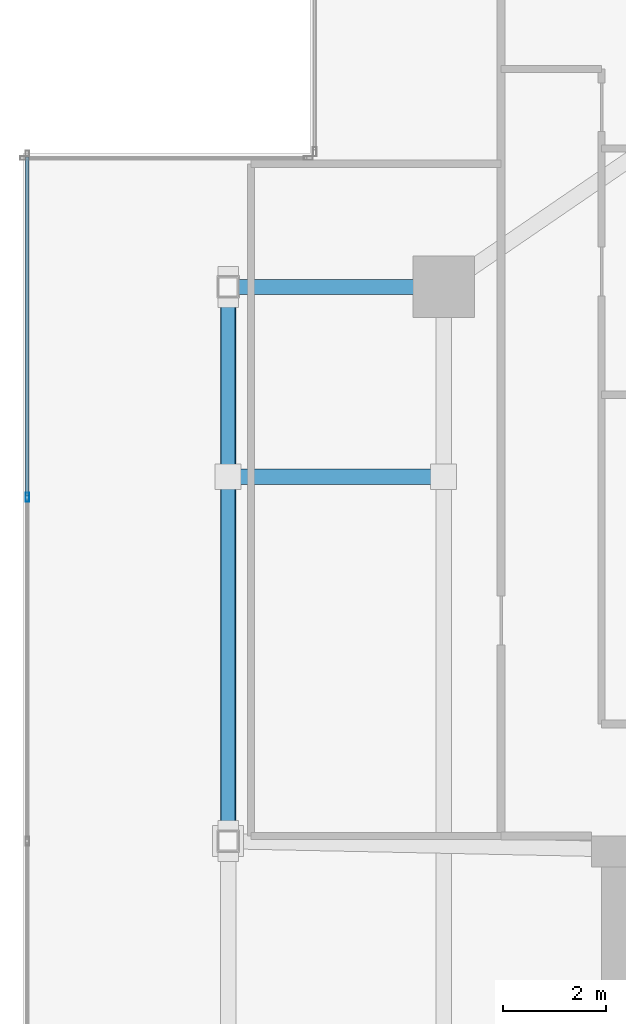
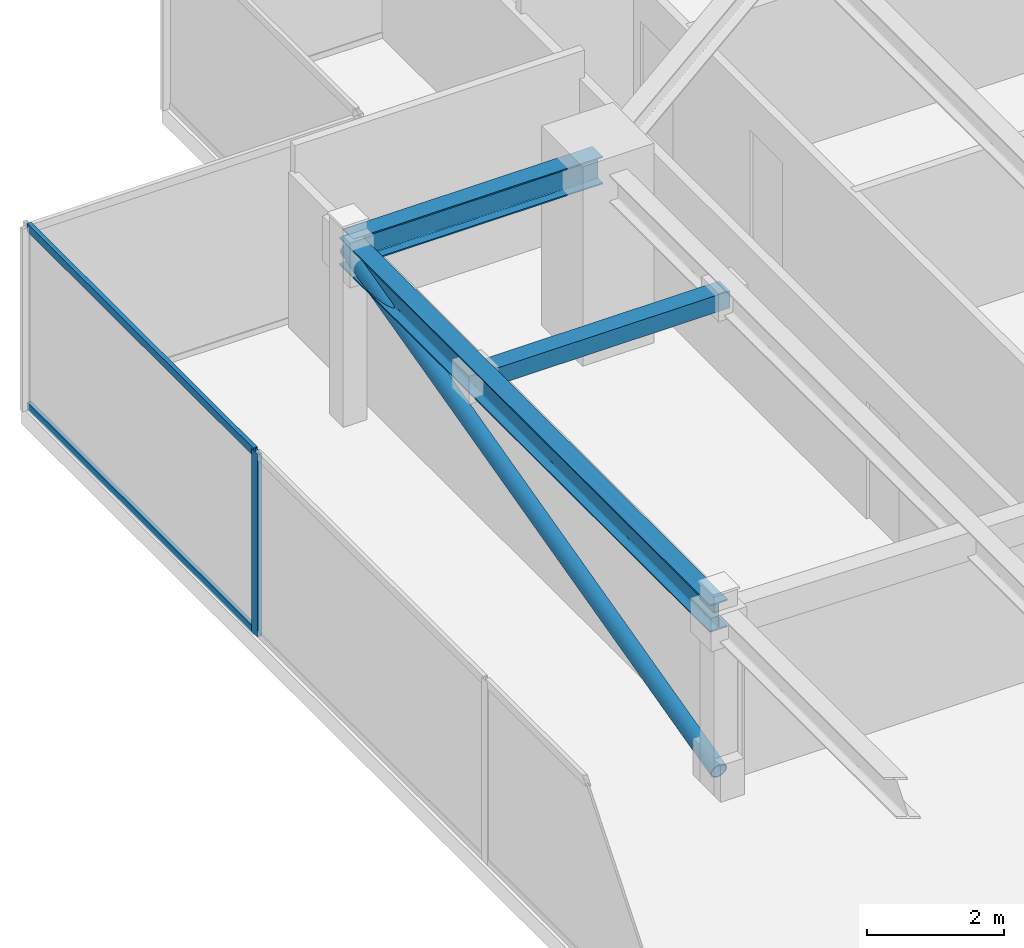
# One storey, part 9 of 16: 5 members, 2 beams, 1 element without a shape of its own.
"""IFC4 building model written with IfcOpenShell, lengths in metres."""

from ifc_helpers import new_model, si_unit, direction, frame, origin, origin_2d, place, context, subcontext, project, spatial, hollow_rectangle, hollow_circle, i_section, extrude, source, transform, mapped, material, material_profile, profile_set, type_object, type_shapes, element, aggregate, save


model = new_model("IFC4")

# Units and contexts
model_context = context("Model", 3, precision=1e-05, world=origin(), true_north=direction((0.0, 1.0)))
body_context = subcontext(model_context, "Body", "Model", "MODEL_VIEW")
ifc_project = project(units=[si_unit("LENGTHUNIT", "METRE"), si_unit("AREAUNIT", "SQUARE_METRE"), si_unit("VOLUMEUNIT", "CUBIC_METRE"), si_unit("PLANEANGLEUNIT", "RADIAN"), si_unit("MASSUNIT", "GRAM", prefix="KILO")], contexts=[model_context])

# Site, building, storey
site_placement = place(None, origin())
site = spatial("IfcSite", under=ifc_project, at=site_placement, CompositionType="ELEMENT")
building_placement = place(site_placement, origin())
building = spatial("IfcBuilding", under=site, at=building_placement, Name="Krantzveldt Concourse Tower", CompositionType="ELEMENT")
storey_placement = place(building_placement, frame((0.0, 0.0, 385.449951171875)))
storey = spatial("IfcBuildingStorey", under=building, at=storey_placement, Name="L95", CompositionType="ELEMENT", Elevation=385.449951171875)

# Beams
ifc_material_1 = material(Name="Steel S355JR", Category="steel")
ifc_material_profile_1 = material_profile(ifc_material_1, i_section(OverallWidth=0.300048828125, OverallDepth=0.489990234375, WebThickness=0.011962890625, FlangeThickness=0.02294921875, FilletRadius=0.027099609375, at=origin_2d()), Name="Steel S355JR", Category="steel")
ifc_profile_set_1 = profile_set([ifc_material_profile_1], Name="Steel S355JR - HEA 500")
beam_type = type_object("IfcBeamType", Name="BM-B-HEA500", PredefinedType="BEAM", material=ifc_profile_set_1)
shared_shape_1 = source(origin(), body_context, "Body", "SweptSolid", [
    extrude(i_section(OverallWidth=0.300048828125, OverallDepth=0.489990234375, WebThickness=0.011962890625, FlangeThickness=0.02294921875, FilletRadius=0.027099609375, at=origin_2d()), origin(), (0.0, 0.0, 1.0), 4.199951171875),
])
beam_1_placement = place(storey_placement, frame((21.0, 37.5, 3.005126953125), z_axis=(1.0, 0.0, 0.0), x_axis=(0.0, 1.0, 0.0)))
element("IfcBeam", 1, at=beam_1_placement, inside=storey, type_object=beam_type, Name="L95 Crown Girder WEST-3", PredefinedType="BEAM", context=body_context, shape_type="MappedRepresentation", body=[
    mapped(shared_shape_1, transform((0.0, 0.0, 0.0), x_axis=(1.0, 0.0, 0.0), y_axis=(0.0, 1.0, 0.0), z_axis=(0.0, 0.0, 1.0), scale=1.0)),
])
shared_shape_2 = source(origin(), body_context, "Body", "SweptSolid", [
    extrude(i_section(OverallWidth=0.300048828125, OverallDepth=0.489990234375, WebThickness=0.011962890625, FlangeThickness=0.02294921875, FilletRadius=0.027099609375, at=origin_2d()), origin(), (0.0, 0.0, 1.0), 10.800048828125),
])
type_shapes(beam_type, [shared_shape_1, shared_shape_2])
beam_2_placement = place(storey_placement, frame((21.0, 26.699951171875, 3.005126953125), z_axis=(0.0, 1.0, 0.0), x_axis=(-1.0, 0.0, 0.0)))
element("IfcBeam", 2, at=beam_2_placement, inside=storey, type_object=beam_type, Name="L95 Crown Girder WEST-2", PredefinedType="BEAM", context=body_context, shape_type="MappedRepresentation", body=[
    mapped(shared_shape_2, transform((0.0, 0.0, 0.0), x_axis=(1.0, 0.0, 0.0), y_axis=(0.0, 1.0, 0.0), z_axis=(0.0, 0.0, 1.0), scale=1.0)),
])

# Members
ifc_material_2 = material(Name="Steel S355J2", Category="steel")
ifc_material_profile_2 = material_profile(ifc_material_2, hollow_rectangle(XDim=0.300048828125, YDim=0.300048828125, WallThickness=0.02001953125, at=origin_2d()), Name="Steel S355J2", Category="steel")
ifc_profile_set_2 = profile_set([ifc_material_profile_2], Name="Steel S355J2 - SHS 300x300x20")
member_type_1 = type_object("IfcMemberType", Name="MB-CP-SHS300", PredefinedType="PURLIN", material=ifc_profile_set_2)
shared_shape_3 = source(origin(), body_context, "Body", "SweptSolid", [
    extrude(hollow_rectangle(XDim=0.300048828125, YDim=0.300048828125, WallThickness=0.02001953125, at=origin_2d()), origin(), (0.0, 0.0, 1.0), 4.199951171875),
])
type_shapes(member_type_1, [shared_shape_3])
member_1_placement = place(storey_placement, frame((21.0, 33.800048828125, 2.949951171875), z_axis=(1.0, 0.0, 0.0), x_axis=(0.0, 1.0, 0.0)))
element("IfcMember", 3, at=member_1_placement, inside=storey, type_object=member_type_1, Name="CPR-L95-WEST-1", PredefinedType="PURLIN", context=body_context, shape_type="MappedRepresentation", body=[
    mapped(shared_shape_3, transform((0.0, 0.0, 0.0), x_axis=(1.0, 0.0, 0.0), y_axis=(0.0, 1.0, 0.0), z_axis=(0.0, 0.0, 1.0), scale=1.0)),
])
ifc_material_profile_3 = material_profile(ifc_material_2, hollow_circle(Radius=0.136474609375, WallThickness=0.01611328125, at=origin_2d()), Name="Steel S355J2", Category="steel")
ifc_profile_set_3 = profile_set([ifc_material_profile_3], Name="Steel S355J2 - CHS 273x16")
member_type_2 = type_object("IfcMemberType", Name="MB-CB-CHS273", PredefinedType="BRACE", material=ifc_profile_set_3)
shared_shape_4 = source(origin(), body_context, "Body", "SweptSolid", [
    extrude(hollow_circle(Radius=0.136474609375, WallThickness=0.01611328125, at=origin_2d()), origin(), (0.0, 0.0, 1.0), 11.144775390625),
])
type_shapes(member_type_2, [shared_shape_4])
member_2_placement = place(storey_placement, frame((21.0, 26.699951171875, 0.25), z_axis=(0.0, 0.969077937327, 0.246754840655), x_axis=(-1.0, 0.0, 0.0)))
element("IfcMember", 4, at=member_2_placement, inside=storey, type_object=member_type_2, Name="Brace Diagonal CBR-L95-WEST", PredefinedType="BRACE", context=body_context, shape_type="MappedRepresentation", body=[
    mapped(shared_shape_4, transform((0.0, 0.0, 0.0), x_axis=(1.0, 0.0, 0.0), y_axis=(0.0, 1.0, 0.0), z_axis=(0.0, 0.0, 1.0), scale=1.0)),
])

# Curtain wall, members
ifc_material_3 = material(Name="Anodised aluminium 6063-T6", Category="aluminium")
curtain_wall_type = type_object("IfcCurtainWallType", Name="CW7", PredefinedType="USERDEFINED", material=ifc_material_3)
curtain_wall_placement = place(storey_placement, origin())
curtain_wall = element("IfcCurtainWall", 5, at=curtain_wall_placement, inside=storey, type_object=curtain_wall_type, Name="CW-L95-WEST-05", ObjectType="UNITISED CURTAIN WALL", PredefinedType="USERDEFINED")
ifc_material_profile_4 = material_profile(ifc_material_3, hollow_rectangle(XDim=0.070068359375, YDim=0.139892578125, WallThickness=0.0048828125, at=origin_2d()), Name="Anodised aluminium 6063-T6", Category="aluminium")
ifc_profile_set_4 = profile_set([ifc_material_profile_4], Name="Anodised aluminium 6063-T6 - ALU-TRAN 140x70x5")
member_type_3 = type_object("IfcMemberType", Name="CW-TRN-150", PredefinedType="USERDEFINED", material=ifc_profile_set_4)
shared_shape_5 = source(origin(), body_context, "Body", "SweptSolid", [
    extrude(hollow_rectangle(XDim=0.070068359375, YDim=0.139892578125, WallThickness=0.0048828125, at=origin_2d()), origin(), (0.0, 0.0, 1.0), 6.594970703125),
])
type_shapes(member_type_3, [shared_shape_5])
member_3_placement = place(storey_placement, frame((17.090087890625, 40.030029296875, 0.03515625), z_axis=(0.0, -1.0, 0.0), x_axis=(1.0, 0.0, 0.0)))
member_3 = element("IfcMember", 6, at=member_3_placement, type_object=member_type_3, Name="CW-CRN transom 1.1", ObjectType="TRANSOM", PredefinedType="USERDEFINED", context=body_context, shape_type="MappedRepresentation", body=[
    mapped(shared_shape_5, transform((0.0, 0.0, 0.0), x_axis=(1.0, 0.0, 0.0), y_axis=(0.0, 1.0, 0.0), z_axis=(0.0, 0.0, 1.0), scale=1.0)),
])
member_4_placement = place(storey_placement, frame((17.090087890625, 40.030029296875, 3.215087890625), z_axis=(0.0, -1.0, 0.0), x_axis=(1.0, 0.0, 0.0)))
member_4 = element("IfcMember", 7, at=member_4_placement, type_object=member_type_3, Name="CW-CRN transom 1.2", ObjectType="TRANSOM", PredefinedType="USERDEFINED", context=body_context, shape_type="MappedRepresentation", body=[
    mapped(shared_shape_5, transform((0.0, 0.0, 0.0), x_axis=(1.0, 0.0, 0.0), y_axis=(0.0, 1.0, 0.0), z_axis=(0.0, 0.0, 1.0), scale=1.0)),
])
ifc_material_profile_5 = material_profile(ifc_material_3, hollow_rectangle(XDim=0.070068359375, YDim=0.179931640625, WallThickness=0.0048828125, at=origin_2d()), Name="Anodised aluminium 6063-T6", Category="aluminium")
ifc_profile_set_5 = profile_set([ifc_material_profile_5], Name="Anodised aluminium 6063-T6 - ALU-MULL 180x70x5")
member_type_4 = type_object("IfcMemberType", Name="CW-MUL-180", PredefinedType="MULLION", material=ifc_profile_set_5)
shared_shape_6 = source(origin(), body_context, "Body", "SweptSolid", [
    extrude(hollow_rectangle(XDim=0.070068359375, YDim=0.179931640625, WallThickness=0.0048828125, at=origin_2d()), origin(), (0.0, 0.0, 1.0), 3.25),
])
type_shapes(member_type_4, [shared_shape_6])
member_5_placement = place(storey_placement, frame((17.090087890625, 33.39990234375, 0.0), z_axis=(0.0, 0.0, 1.0), x_axis=(1.0, 0.0, 0.0)))
member_5 = element("IfcMember", 8, at=member_5_placement, type_object=member_type_4, Name="CW-CRN mullion 2", PredefinedType="MULLION", context=body_context, shape_type="MappedRepresentation", body=[
    mapped(shared_shape_6, transform((0.0, 0.0, 0.0), x_axis=(1.0, 0.0, 0.0), y_axis=(0.0, 1.0, 0.0), z_axis=(0.0, 0.0, 1.0), scale=1.0)),
])
aggregate(curtain_wall, [member_5, member_3, member_4])

save(model, "model.ifc")
